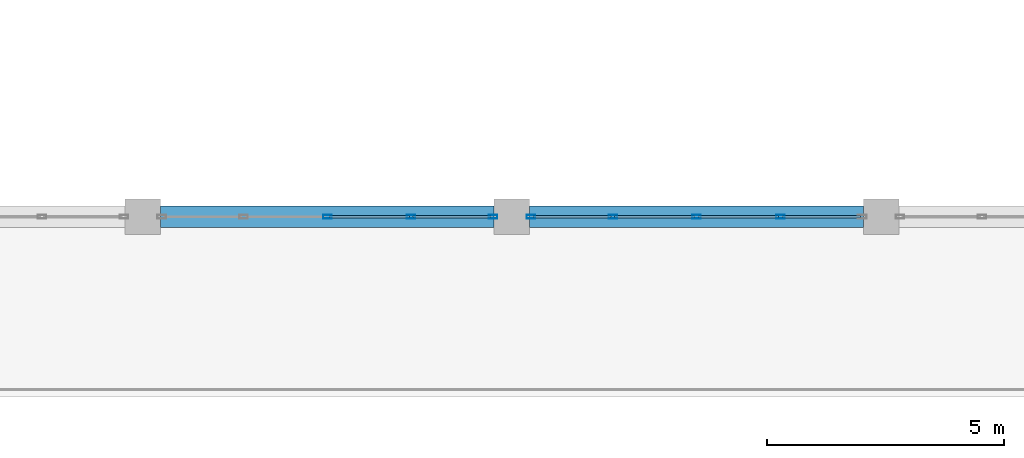
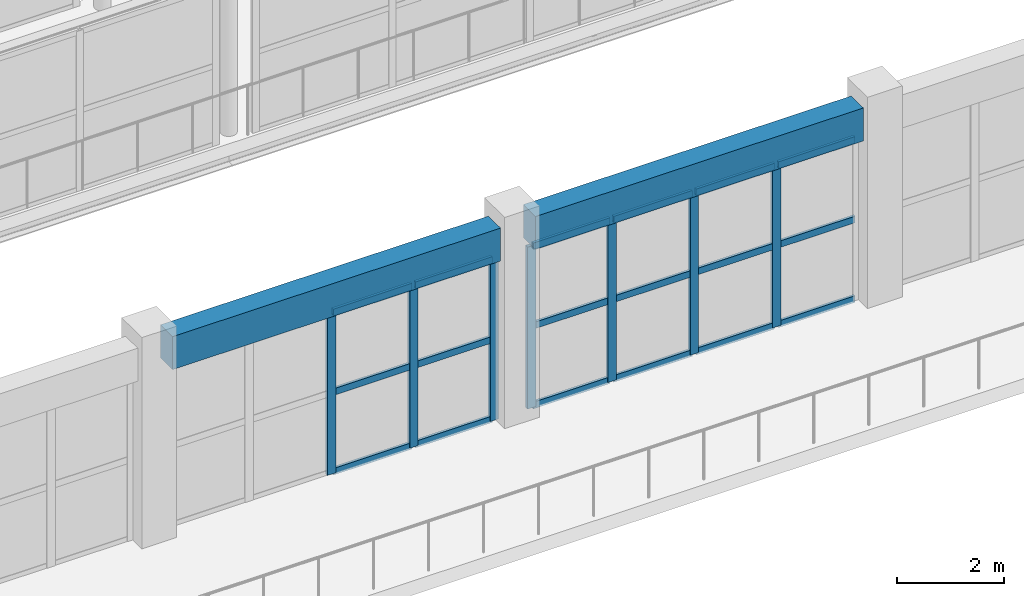
# One storey, part 48 of 175: 25 members, 2 beams, 2 elements without a shape of their own.
"""IFC4 building model written with IfcOpenShell, lengths in metres."""

from ifc_helpers import new_model, si_unit, direction, frame, origin, origin_2d, place, context, subcontext, project, spatial, rectangle, hollow_rectangle, extrude, material, layer, layer_set, material_profile, profile_set, type_object, element, aggregate, save


model = new_model("IFC4")

# Units and contexts
model_context = context("Model", 3, precision=1e-05, world=origin(), true_north=direction((0.0, 1.0)))
body_context = subcontext(model_context, "Body", "Model", "MODEL_VIEW")
ifc_project = project(units=[si_unit("LENGTHUNIT", "METRE"), si_unit("AREAUNIT", "SQUARE_METRE"), si_unit("VOLUMEUNIT", "CUBIC_METRE"), si_unit("PLANEANGLEUNIT", "RADIAN"), si_unit("MASSUNIT", "GRAM", prefix="KILO")], contexts=[model_context])

# Site, building, storey
site_placement = place(None, origin())
site = spatial("IfcSite", under=ifc_project, at=site_placement, CompositionType="ELEMENT")
building_placement = place(site_placement, origin())
building = spatial("IfcBuilding", under=site, at=building_placement, Name="Zizhar Promenade General Hospital", CompositionType="ELEMENT")
storey_placement = place(building_placement, frame((0.0, 0.0, 4.800048828125)))
storey = spatial("IfcBuildingStorey", under=building, at=storey_placement, Name="L01", CompositionType="ELEMENT", Elevation=4.800048828125)

# Beams
ifc_material_1 = material(Name="Concrete C35/45", Category="concrete")
ifc_material_profile_1 = material_profile(ifc_material_1, rectangle(XDim=0.449951171875, YDim=0.75, at=origin_2d()))
ifc_profile_set_1 = profile_set([ifc_material_profile_1], Name="Concrete C35/45")
beam_type = type_object("IfcBeamType", Name="BM-RC-450x750", PredefinedType="BEAM", material=ifc_profile_set_1)
beam_1_placement = place(storey_placement, frame((93.97509765625, 50.39990234375, 4.094970703125), z_axis=(1.0, 0.0, 0.0), x_axis=(0.0, 1.0, 0.0)))
element("IfcBeam", 1, at=beam_1_placement, inside=storey, type_object=beam_type, Name="Grid Beam X L01 (12-6)", PredefinedType="BEAM", context=body_context, shape_type="SweptSolid", body=[
    extrude(rectangle(XDim=0.449951171875, YDim=0.75, at=origin_2d()), origin(), (0.0, 0.0, 1.0), 7.0498046875),
])
beam_2_placement = place(storey_placement, frame((101.77490234375, 50.39990234375, 4.094970703125), z_axis=(1.0, 0.0, 0.0), x_axis=(0.0, 1.0, 0.0)))
element("IfcBeam", 2, at=beam_2_placement, inside=storey, type_object=beam_type, Name="Grid Beam X L01 (13-6)", PredefinedType="BEAM", context=body_context, shape_type="SweptSolid", body=[
    extrude(rectangle(XDim=0.449951171875, YDim=0.75, at=origin_2d()), origin(), (0.0, 0.0, 1.0), 7.050048828125),
])

# Curtain wall, members
ifc_material_2 = material(Name="Anodised aluminium 6063-T6 and low-E glass", Category="aluminium")
ifc_layer = layer(ifc_material_2, 0.159912109375)
ifc_layer_set = layer_set([ifc_layer], Name="Anodised aluminium 6063-T6 and low-E glass")
curtain_wall_type = type_object("IfcCurtainWallType", Name="CW-HALL-N", PredefinedType="NOTDEFINED", material=ifc_layer_set)
curtain_wall_1_placement = place(storey_placement, origin())
curtain_wall_1 = element("IfcCurtainWall", 3, at=curtain_wall_1_placement, inside=storey, type_object=curtain_wall_type, Name="Main Hall Courtyard Curtain Wall L01-12", PredefinedType="NOTDEFINED")
ifc_material_3 = material(Name="Anodised aluminium 6063-T6", Category="aluminium")
ifc_material_profile_2 = material_profile(ifc_material_3, hollow_rectangle(XDim=0.080078125, YDim=0.179931640625, WallThickness=0.0048828125, at=origin_2d()))
ifc_profile_set_2 = profile_set([ifc_material_profile_2], Name="Anodised aluminium 6063-T6")
member_type_1 = type_object("IfcMemberType", Name="CWM-ALU-180x80", PredefinedType="MULLION", material=ifc_profile_set_2)
member_1_placement = place(storey_placement, frame((97.5, 50.39990234375, 0.0), z_axis=(0.0, 0.0, 1.0), x_axis=(0.0, 1.0, 0.0)))
member_1 = element("IfcMember", 4, at=member_1_placement, type_object=member_type_1, Name="CW-02 mullion 3", PredefinedType="MULLION", context=body_context, shape_type="SweptSolid", body=[
    extrude(hollow_rectangle(XDim=0.080078125, YDim=0.179931640625, WallThickness=0.0048828125, at=origin_2d()), origin(), (0.0, 0.0, 1.0), 3.679931640625),
])
member_2_placement = place(storey_placement, frame((99.27001953125, 50.39990234375, 0.0), z_axis=(0.0, 0.0, 1.0), x_axis=(0.0, 1.0, 0.0)))
member_2 = element("IfcMember", 5, at=member_2_placement, type_object=member_type_1, Name="CW-02 mullion 4", PredefinedType="MULLION", context=body_context, shape_type="SweptSolid", body=[
    extrude(hollow_rectangle(XDim=0.080078125, YDim=0.179931640625, WallThickness=0.0048828125, at=origin_2d()), origin(), (0.0, 0.0, 1.0), 3.679931640625),
])
member_3_placement = place(storey_placement, frame((101.0, 50.39990234375, 0.0), z_axis=(0.0, 0.0, 1.0), x_axis=(0.0, 1.0, 0.0)))
member_3 = element("IfcMember", 6, at=member_3_placement, type_object=member_type_1, Name="CW-02 mullion 5", PredefinedType="MULLION", context=body_context, shape_type="SweptSolid", body=[
    extrude(hollow_rectangle(XDim=0.080078125, YDim=0.179931640625, WallThickness=0.0048828125, at=origin_2d()), origin(), (0.0, 0.0, 1.0), 3.679931640625),
])

curtain_wall_2_placement = place(storey_placement, origin())
curtain_wall_2 = element("IfcCurtainWall", 7, at=curtain_wall_2_placement, inside=storey, type_object=curtain_wall_type, Name="Main Hall Courtyard Curtain Wall L01-13", PredefinedType="NOTDEFINED")
member_4_placement = place(storey_placement, frame((101.800048828125, 50.39990234375, 0.0), z_axis=(0.0, 0.0, 1.0), x_axis=(0.0, 1.0, 0.0)))
member_4 = element("IfcMember", 8, at=member_4_placement, type_object=member_type_1, Name="CW-02 mullion 1", PredefinedType="MULLION", context=body_context, shape_type="SweptSolid", body=[
    extrude(hollow_rectangle(XDim=0.080078125, YDim=0.179931640625, WallThickness=0.0048828125, at=origin_2d()), origin(), (0.0, 0.0, 1.0), 3.679931640625),
])
member_5_placement = place(storey_placement, frame((103.530029296875, 50.39990234375, 0.0), z_axis=(0.0, 0.0, 1.0), x_axis=(0.0, 1.0, 0.0)))
member_5 = element("IfcMember", 9, at=member_5_placement, type_object=member_type_1, Name="CW-02 mullion 2", PredefinedType="MULLION", context=body_context, shape_type="SweptSolid", body=[
    extrude(hollow_rectangle(XDim=0.080078125, YDim=0.179931640625, WallThickness=0.0048828125, at=origin_2d()), origin(), (0.0, 0.0, 1.0), 3.679931640625),
])
member_6_placement = place(storey_placement, frame((105.300048828125, 50.39990234375, 0.0), z_axis=(0.0, 0.0, 1.0), x_axis=(0.0, 1.0, 0.0)))
member_6 = element("IfcMember", 10, at=member_6_placement, type_object=member_type_1, Name="CW-02 mullion 3", PredefinedType="MULLION", context=body_context, shape_type="SweptSolid", body=[
    extrude(hollow_rectangle(XDim=0.080078125, YDim=0.179931640625, WallThickness=0.0048828125, at=origin_2d()), origin(), (0.0, 0.0, 1.0), 3.679931640625),
])
member_7_placement = place(storey_placement, frame((107.070068359375, 50.39990234375, 0.0), z_axis=(0.0, 0.0, 1.0), x_axis=(0.0, 1.0, 0.0)))
member_7 = element("IfcMember", 11, at=member_7_placement, type_object=member_type_1, Name="CW-02 mullion 4", PredefinedType="MULLION", context=body_context, shape_type="SweptSolid", body=[
    extrude(hollow_rectangle(XDim=0.080078125, YDim=0.179931640625, WallThickness=0.0048828125, at=origin_2d()), origin(), (0.0, 0.0, 1.0), 3.679931640625),
])

# Member
ifc_material_4 = material(Name="Anodised aluminium 6063-T6", Category="aluminium")
ifc_material_profile_3 = material_profile(ifc_material_4, hollow_rectangle(XDim=0.06005859375, YDim=0.14990234375, WallThickness=0.00390625, at=origin_2d()))
ifc_profile_set_3 = profile_set([ifc_material_profile_3], Name="Anodised aluminium 6063-T6")
member_type_2 = type_object("IfcMemberType", Name="CWT-ALU-150x60", PredefinedType="USERDEFINED", material=ifc_profile_set_3)
member_8_placement = place(storey_placement, frame((97.5400390625, 50.39990234375, 0.030029296875), z_axis=(1.0, 0.0, 0.0), x_axis=(0.0, 1.0, 0.0)))
member_8 = element("IfcMember", 12, at=member_8_placement, type_object=member_type_2, Name="CW-02 transom 3.1", ObjectType="TRANSOM", PredefinedType="USERDEFINED", context=body_context, shape_type="SweptSolid", body=[
    extrude(hollow_rectangle(XDim=0.06005859375, YDim=0.14990234375, WallThickness=0.00390625, at=origin_2d()), origin(), (0.0, 0.0, 1.0), 1.68994140625),
])

member_9_placement = place(storey_placement, frame((97.5400390625, 50.39990234375, 1.83984375), z_axis=(1.0, 0.0, 0.0), x_axis=(0.0, 1.0, 0.0)))
member_9 = element("IfcMember", 13, at=member_9_placement, type_object=member_type_2, Name="CW-02 transom 3.2", ObjectType="TRANSOM", PredefinedType="USERDEFINED", context=body_context, shape_type="SweptSolid", body=[
    extrude(hollow_rectangle(XDim=0.06005859375, YDim=0.14990234375, WallThickness=0.00390625, at=origin_2d()), origin(), (0.0, 0.0, 1.0), 1.68994140625),
])

member_10_placement = place(storey_placement, frame((97.5400390625, 50.39990234375, 3.64990234375), z_axis=(1.0, 0.0, 0.0), x_axis=(0.0, 1.0, 0.0)))
member_10 = element("IfcMember", 14, at=member_10_placement, type_object=member_type_2, Name="CW-02 transom 3.3", ObjectType="TRANSOM", PredefinedType="USERDEFINED", context=body_context, shape_type="SweptSolid", body=[
    extrude(hollow_rectangle(XDim=0.06005859375, YDim=0.14990234375, WallThickness=0.00390625, at=origin_2d()), origin(), (0.0, 0.0, 1.0), 1.68994140625),
])

member_11_placement = place(storey_placement, frame((99.31005859375, 50.39990234375, 0.030029296875), z_axis=(1.0, 0.0, 0.0), x_axis=(0.0, 1.0, 0.0)))
member_11 = element("IfcMember", 15, at=member_11_placement, type_object=member_type_2, Name="CW-02 transom 4.1", ObjectType="TRANSOM", PredefinedType="USERDEFINED", context=body_context, shape_type="SweptSolid", body=[
    extrude(hollow_rectangle(XDim=0.06005859375, YDim=0.14990234375, WallThickness=0.00390625, at=origin_2d()), origin(), (0.0, 0.0, 1.0), 1.64990234375),
])

member_12_placement = place(storey_placement, frame((99.31005859375, 50.39990234375, 1.83984375), z_axis=(1.0, 0.0, 0.0), x_axis=(0.0, 1.0, 0.0)))
member_12 = element("IfcMember", 16, at=member_12_placement, type_object=member_type_2, Name="CW-02 transom 4.2", ObjectType="TRANSOM", PredefinedType="USERDEFINED", context=body_context, shape_type="SweptSolid", body=[
    extrude(hollow_rectangle(XDim=0.06005859375, YDim=0.14990234375, WallThickness=0.00390625, at=origin_2d()), origin(), (0.0, 0.0, 1.0), 1.64990234375),
])

member_13_placement = place(storey_placement, frame((99.31005859375, 50.39990234375, 3.64990234375), z_axis=(1.0, 0.0, 0.0), x_axis=(0.0, 1.0, 0.0)))
member_13 = element("IfcMember", 17, at=member_13_placement, type_object=member_type_2, Name="CW-02 transom 4.3", ObjectType="TRANSOM", PredefinedType="USERDEFINED", context=body_context, shape_type="SweptSolid", body=[
    extrude(hollow_rectangle(XDim=0.06005859375, YDim=0.14990234375, WallThickness=0.00390625, at=origin_2d()), origin(), (0.0, 0.0, 1.0), 1.64990234375),
])

aggregate(curtain_wall_1, [member_1, member_2, member_3, member_8, member_9, member_10, member_11, member_12, member_13])

member_14_placement = place(storey_placement, frame((101.840087890625, 50.39990234375, 0.030029296875), z_axis=(1.0, 0.0, 0.0), x_axis=(0.0, 1.0, 0.0)))
member_14 = element("IfcMember", 18, at=member_14_placement, type_object=member_type_2, Name="CW-02 transom 1.1", ObjectType="TRANSOM", PredefinedType="USERDEFINED", context=body_context, shape_type="SweptSolid", body=[
    extrude(hollow_rectangle(XDim=0.06005859375, YDim=0.14990234375, WallThickness=0.00390625, at=origin_2d()), origin(), (0.0, 0.0, 1.0), 1.64990234375),
])

member_15_placement = place(storey_placement, frame((101.840087890625, 50.39990234375, 1.83984375), z_axis=(1.0, 0.0, 0.0), x_axis=(0.0, 1.0, 0.0)))
member_15 = element("IfcMember", 19, at=member_15_placement, type_object=member_type_2, Name="CW-02 transom 1.2", ObjectType="TRANSOM", PredefinedType="USERDEFINED", context=body_context, shape_type="SweptSolid", body=[
    extrude(hollow_rectangle(XDim=0.06005859375, YDim=0.14990234375, WallThickness=0.00390625, at=origin_2d()), origin(), (0.0, 0.0, 1.0), 1.64990234375),
])

member_16_placement = place(storey_placement, frame((101.840087890625, 50.39990234375, 3.64990234375), z_axis=(1.0, 0.0, 0.0), x_axis=(0.0, 1.0, 0.0)))
member_16 = element("IfcMember", 20, at=member_16_placement, type_object=member_type_2, Name="CW-02 transom 1.3", ObjectType="TRANSOM", PredefinedType="USERDEFINED", context=body_context, shape_type="SweptSolid", body=[
    extrude(hollow_rectangle(XDim=0.06005859375, YDim=0.14990234375, WallThickness=0.00390625, at=origin_2d()), origin(), (0.0, 0.0, 1.0), 1.64990234375),
])

member_17_placement = place(storey_placement, frame((103.570068359375, 50.39990234375, 0.030029296875), z_axis=(1.0, 0.0, 0.0), x_axis=(0.0, 1.0, 0.0)))
member_17 = element("IfcMember", 21, at=member_17_placement, type_object=member_type_2, Name="CW-02 transom 2.1", ObjectType="TRANSOM", PredefinedType="USERDEFINED", context=body_context, shape_type="SweptSolid", body=[
    extrude(hollow_rectangle(XDim=0.06005859375, YDim=0.14990234375, WallThickness=0.00390625, at=origin_2d()), origin(), (0.0, 0.0, 1.0), 1.68994140625),
])

member_18_placement = place(storey_placement, frame((103.570068359375, 50.39990234375, 1.83984375), z_axis=(1.0, 0.0, 0.0), x_axis=(0.0, 1.0, 0.0)))
member_18 = element("IfcMember", 22, at=member_18_placement, type_object=member_type_2, Name="CW-02 transom 2.2", ObjectType="TRANSOM", PredefinedType="USERDEFINED", context=body_context, shape_type="SweptSolid", body=[
    extrude(hollow_rectangle(XDim=0.06005859375, YDim=0.14990234375, WallThickness=0.00390625, at=origin_2d()), origin(), (0.0, 0.0, 1.0), 1.68994140625),
])

member_19_placement = place(storey_placement, frame((103.570068359375, 50.39990234375, 3.64990234375), z_axis=(1.0, 0.0, 0.0), x_axis=(0.0, 1.0, 0.0)))
member_19 = element("IfcMember", 23, at=member_19_placement, type_object=member_type_2, Name="CW-02 transom 2.3", ObjectType="TRANSOM", PredefinedType="USERDEFINED", context=body_context, shape_type="SweptSolid", body=[
    extrude(hollow_rectangle(XDim=0.06005859375, YDim=0.14990234375, WallThickness=0.00390625, at=origin_2d()), origin(), (0.0, 0.0, 1.0), 1.68994140625),
])

member_20_placement = place(storey_placement, frame((105.340087890625, 50.39990234375, 0.030029296875), z_axis=(1.0, 0.0, 0.0), x_axis=(0.0, 1.0, 0.0)))
member_20 = element("IfcMember", 24, at=member_20_placement, type_object=member_type_2, Name="CW-02 transom 3.1", ObjectType="TRANSOM", PredefinedType="USERDEFINED", context=body_context, shape_type="SweptSolid", body=[
    extrude(hollow_rectangle(XDim=0.06005859375, YDim=0.14990234375, WallThickness=0.00390625, at=origin_2d()), origin(), (0.0, 0.0, 1.0), 1.68994140625),
])

member_21_placement = place(storey_placement, frame((105.340087890625, 50.39990234375, 1.83984375), z_axis=(1.0, 0.0, 0.0), x_axis=(0.0, 1.0, 0.0)))
member_21 = element("IfcMember", 25, at=member_21_placement, type_object=member_type_2, Name="CW-02 transom 3.2", ObjectType="TRANSOM", PredefinedType="USERDEFINED", context=body_context, shape_type="SweptSolid", body=[
    extrude(hollow_rectangle(XDim=0.06005859375, YDim=0.14990234375, WallThickness=0.00390625, at=origin_2d()), origin(), (0.0, 0.0, 1.0), 1.68994140625),
])

member_22_placement = place(storey_placement, frame((105.340087890625, 50.39990234375, 3.64990234375), z_axis=(1.0, 0.0, 0.0), x_axis=(0.0, 1.0, 0.0)))
member_22 = element("IfcMember", 26, at=member_22_placement, type_object=member_type_2, Name="CW-02 transom 3.3", ObjectType="TRANSOM", PredefinedType="USERDEFINED", context=body_context, shape_type="SweptSolid", body=[
    extrude(hollow_rectangle(XDim=0.06005859375, YDim=0.14990234375, WallThickness=0.00390625, at=origin_2d()), origin(), (0.0, 0.0, 1.0), 1.68994140625),
])

member_23_placement = place(storey_placement, frame((107.110107421875, 50.39990234375, 0.030029296875), z_axis=(1.0, 0.0, 0.0), x_axis=(0.0, 1.0, 0.0)))
member_23 = element("IfcMember", 27, at=member_23_placement, type_object=member_type_2, Name="CW-02 transom 4.1", ObjectType="TRANSOM", PredefinedType="USERDEFINED", context=body_context, shape_type="SweptSolid", body=[
    extrude(hollow_rectangle(XDim=0.06005859375, YDim=0.14990234375, WallThickness=0.00390625, at=origin_2d()), origin(), (0.0, 0.0, 1.0), 1.64990234375),
])

member_24_placement = place(storey_placement, frame((107.110107421875, 50.39990234375, 1.83984375), z_axis=(1.0, 0.0, 0.0), x_axis=(0.0, 1.0, 0.0)))
member_24 = element("IfcMember", 28, at=member_24_placement, type_object=member_type_2, Name="CW-02 transom 4.2", ObjectType="TRANSOM", PredefinedType="USERDEFINED", context=body_context, shape_type="SweptSolid", body=[
    extrude(hollow_rectangle(XDim=0.06005859375, YDim=0.14990234375, WallThickness=0.00390625, at=origin_2d()), origin(), (0.0, 0.0, 1.0), 1.64990234375),
])

member_25_placement = place(storey_placement, frame((107.110107421875, 50.39990234375, 3.64990234375), z_axis=(1.0, 0.0, 0.0), x_axis=(0.0, 1.0, 0.0)))
member_25 = element("IfcMember", 29, at=member_25_placement, type_object=member_type_2, Name="CW-02 transom 4.3", ObjectType="TRANSOM", PredefinedType="USERDEFINED", context=body_context, shape_type="SweptSolid", body=[
    extrude(hollow_rectangle(XDim=0.06005859375, YDim=0.14990234375, WallThickness=0.00390625, at=origin_2d()), origin(), (0.0, 0.0, 1.0), 1.64990234375),
])

aggregate(curtain_wall_2, [member_4, member_5, member_6, member_7, member_14, member_15, member_16, member_17, member_18, member_19, member_20, member_21, member_22, member_23, member_24, member_25])

save(model, "model.ifc")
